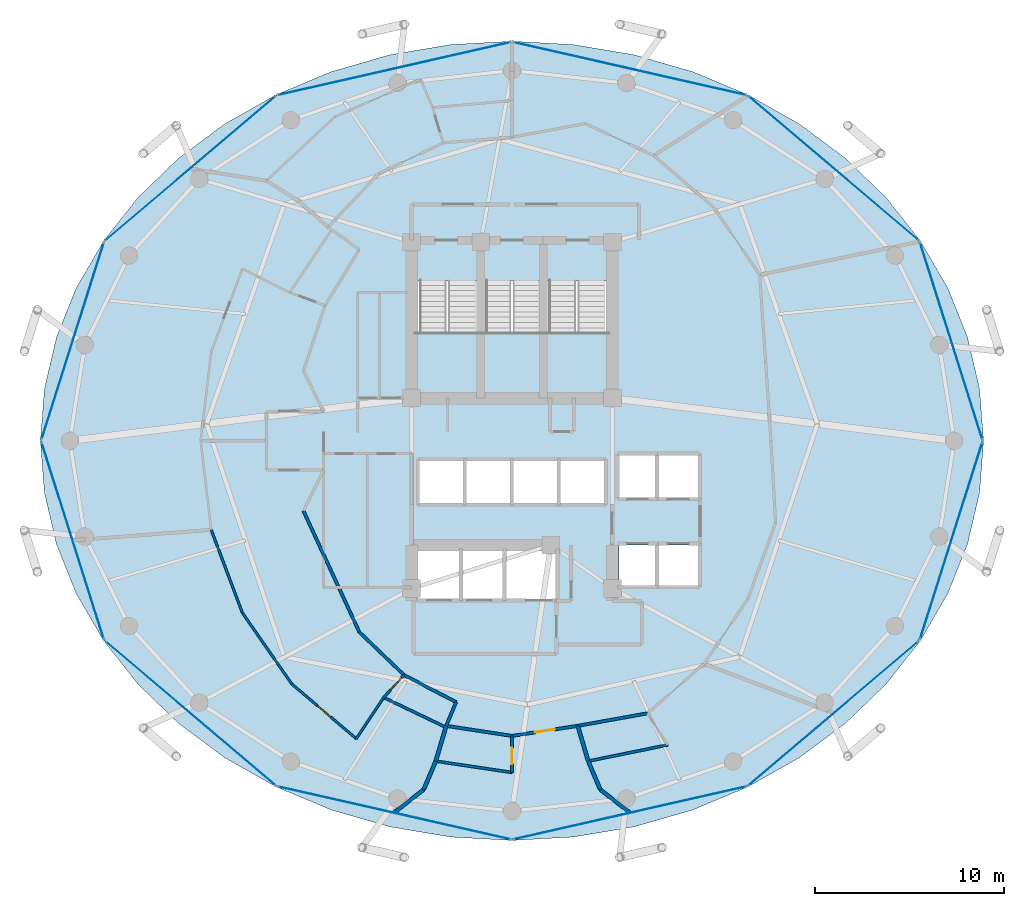
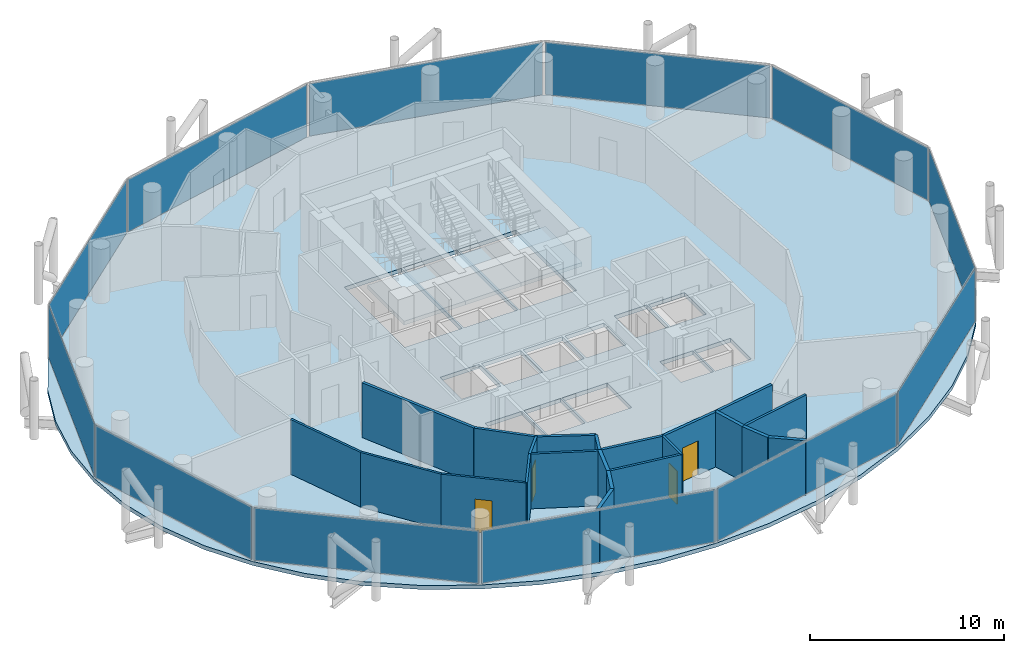
# One storey, part 21 of 26: 22 walls, 12 plates, 4 doors, 4 slabs, 4 openings, 15 elements without a shape of their own.
"""IFC4 building model written with IfcOpenShell, lengths in metres."""

from ifc_helpers import new_model, si_unit, direction, frame, frame_2d, origin, origin_2d, place, context, subcontext, project, spatial, polyline, rectangle, outline, extrude, material, layer, layer_set, type_object, element, fill, aggregate, save


model = new_model("IFC4")

# Units and contexts
model_context = context("Model", 3, precision=1e-05, world=origin(), true_north=direction((0.0, 1.0)))
body_context = subcontext(model_context, "Body", "Model", "MODEL_VIEW")
ifc_project = project(units=[si_unit("LENGTHUNIT", "METRE"), si_unit("AREAUNIT", "SQUARE_METRE"), si_unit("VOLUMEUNIT", "CUBIC_METRE"), si_unit("PLANEANGLEUNIT", "RADIAN"), si_unit("MASSUNIT", "GRAM", prefix="KILO")], contexts=[model_context])

# Site, building, storey
site_placement = place(None, origin())
site = spatial("IfcSite", under=ifc_project, at=site_placement, CompositionType="ELEMENT")
building_placement = place(site_placement, origin())
building = spatial("IfcBuilding", under=site, at=building_placement, Name="Nuhasar Tower", CompositionType="ELEMENT")
storey_placement = place(building_placement, frame((0.0, 0.0, 144.14990234375)))
storey = spatial("IfcBuildingStorey", under=building, at=storey_placement, Name="L34", CompositionType="ELEMENT", Elevation=144.14990234375)

# Curtain wall, plate
ifc_material_1 = material(Name="Aluminium 6063-T6", Category="aluminium")
ifc_layer_1 = layer(ifc_material_1, 0.199951171875)
ifc_layer_set_1 = layer_set([ifc_layer_1], Name="Aluminium 6063-T6")
curtain_wall_type = type_object("IfcCurtainWallType", Name="CW-Z2-HTL", PredefinedType="NOTDEFINED", material=ifc_layer_set_1)
curtain_wall_1_placement = place(storey_placement, origin())
curtain_wall_1 = element("IfcCurtainWall", 1, at=curtain_wall_1_placement, inside=storey, type_object=curtain_wall_type, Name="L34 Unitised Curtain Wall 01", PredefinedType="NOTDEFINED")
ifc_material_2 = material(Name="Glass Double Low-E", Category="glass")
ifc_layer_2 = layer(ifc_material_2, 0.028076171875)
ifc_layer_set_2 = layer_set([ifc_layer_2], Name="Glass Double Low-E")
plate_type = type_object("IfcPlateType", Name="CW-PANEL-GLZ", PredefinedType="CURTAIN_PANEL", material=ifc_layer_set_2)
plate_1_placement = place(storey_placement, frame((62.194580078125, 32.06494140625, 0.070068359375), z_axis=(0.0, 0.0, 1.0), x_axis=(-0.301603667577, 0.953433389233, 0.0)))
plate_1 = element("IfcPlate", 2, at=plate_1_placement, type_object=plate_type, Name="CW-Z2 panel 1.1", PredefinedType="CURTAIN_PANEL", context=body_context, shape_type="SweptSolid", body=[
    extrude(rectangle(XDim=10.904296875, YDim=0.028076171875, at=origin_2d()), origin(), (0.0, 0.0, 1.0), 3.31005859375),
])
aggregate(curtain_wall_1, [plate_1])

curtain_wall_2_placement = place(storey_placement, origin())
curtain_wall_2 = element("IfcCurtainWall", 3, at=curtain_wall_2_placement, inside=storey, type_object=curtain_wall_type, Name="L34 Unitised Curtain Wall 02", PredefinedType="NOTDEFINED")
plate_2_placement = place(storey_placement, frame((55.9794921875, 41.18408203125, 0.070068359375), z_axis=(0.0, 0.0, 1.0), x_axis=(-0.763020370292, 0.646374438324, 0.0)))
plate_2 = element("IfcPlate", 4, at=plate_2_placement, type_object=plate_type, Name="CW-Z2 panel 1.1", PredefinedType="CURTAIN_PANEL", context=body_context, shape_type="SweptSolid", body=[
    extrude(rectangle(XDim=11.784912109375, YDim=0.028076171875, at=origin_2d()), origin(), (0.0, 0.0, 1.0), 3.31005859375),
])
aggregate(curtain_wall_2, [plate_2])

curtain_wall_3_placement = place(storey_placement, origin())
curtain_wall_3 = element("IfcCurtainWall", 5, at=curtain_wall_3_placement, inside=storey, type_object=curtain_wall_type, Name="L34 Unitised Curtain Wall 03", PredefinedType="NOTDEFINED")
plate_3_placement = place(storey_placement, frame((45.215087890625, 46.448974609375, 0.070068359375), z_axis=(0.0, 0.0, 1.0), x_axis=(-0.975183694221, 0.22139729566, 0.0)))
plate_3 = element("IfcPlate", 6, at=plate_3_placement, type_object=plate_type, Name="CW-Z2 panel 1.1", PredefinedType="CURTAIN_PANEL", context=body_context, shape_type="SweptSolid", body=[
    extrude(rectangle(XDim=12.606201171875, YDim=0.028076171875, at=origin_2d()), origin(), (0.0, 0.0, 1.0), 3.31005859375),
])
aggregate(curtain_wall_3, [plate_3])

curtain_wall_4_placement = place(storey_placement, origin())
curtain_wall_4 = element("IfcCurtainWall", 7, at=curtain_wall_4_placement, inside=storey, type_object=curtain_wall_type, Name="L34 Unitised Curtain Wall 04", PredefinedType="NOTDEFINED")
plate_4_placement = place(storey_placement, frame((32.784912109375, 46.448974609375, 0.070068359375), z_axis=(0.0, 0.0, 1.0), x_axis=(-0.975183694221, -0.22139729566, 0.0)))
plate_4 = element("IfcPlate", 8, at=plate_4_placement, type_object=plate_type, Name="CW-Z2 panel 1.1", PredefinedType="CURTAIN_PANEL", context=body_context, shape_type="SweptSolid", body=[
    extrude(rectangle(XDim=12.606201171875, YDim=0.028076171875, at=origin_2d()), origin(), (0.0, 0.0, 1.0), 3.31005859375),
])
aggregate(curtain_wall_4, [plate_4])

curtain_wall_5_placement = place(storey_placement, origin())
curtain_wall_5 = element("IfcCurtainWall", 9, at=curtain_wall_5_placement, inside=storey, type_object=curtain_wall_type, Name="L34 Unitised Curtain Wall 05", PredefinedType="NOTDEFINED")
plate_5_placement = place(storey_placement, frame((22.0205078125, 41.18408203125, 0.070068359375), z_axis=(0.0, 0.0, 1.0), x_axis=(-0.763020370292, -0.646374438324, 0.0)))
plate_5 = element("IfcPlate", 10, at=plate_5_placement, type_object=plate_type, Name="CW-Z2 panel 1.1", PredefinedType="CURTAIN_PANEL", context=body_context, shape_type="SweptSolid", body=[
    extrude(rectangle(XDim=11.784912109375, YDim=0.028076171875, at=origin_2d()), origin(), (0.0, 0.0, 1.0), 3.31005859375),
])
aggregate(curtain_wall_5, [plate_5])

curtain_wall_6_placement = place(storey_placement, origin())
curtain_wall_6 = element("IfcCurtainWall", 11, at=curtain_wall_6_placement, inside=storey, type_object=curtain_wall_type, Name="L34 Unitised Curtain Wall 06", PredefinedType="NOTDEFINED")
plate_6_placement = place(storey_placement, frame((15.805419921875, 32.06494140625, 0.070068359375), z_axis=(0.0, 0.0, 1.0), x_axis=(-0.301603667577, -0.953433389233, 0.0)))
plate_6 = element("IfcPlate", 12, at=plate_6_placement, type_object=plate_type, Name="CW-Z2 panel 1.1", PredefinedType="CURTAIN_PANEL", context=body_context, shape_type="SweptSolid", body=[
    extrude(rectangle(XDim=10.904296875, YDim=0.028076171875, at=origin_2d()), origin(), (0.0, 0.0, 1.0), 3.31005859375),
])
aggregate(curtain_wall_6, [plate_6])

curtain_wall_7_placement = place(storey_placement, origin())
curtain_wall_7 = element("IfcCurtainWall", 13, at=curtain_wall_7_placement, inside=storey, type_object=curtain_wall_type, Name="L34 Unitised Curtain Wall 07", PredefinedType="NOTDEFINED")
plate_7_placement = place(storey_placement, frame((15.805419921875, 21.534912109375, 0.070068359375), z_axis=(0.0, 0.0, 1.0), x_axis=(0.301603667577, -0.953433389233, 0.0)))
plate_7 = element("IfcPlate", 14, at=plate_7_placement, type_object=plate_type, Name="CW-Z2 panel 1.1", PredefinedType="CURTAIN_PANEL", context=body_context, shape_type="SweptSolid", body=[
    extrude(rectangle(XDim=10.904296875, YDim=0.028076171875, at=origin_2d()), origin(), (0.0, 0.0, 1.0), 3.31005859375),
])
aggregate(curtain_wall_7, [plate_7])

curtain_wall_8_placement = place(storey_placement, origin())
curtain_wall_8 = element("IfcCurtainWall", 15, at=curtain_wall_8_placement, inside=storey, type_object=curtain_wall_type, Name="L34 Unitised Curtain Wall 08", PredefinedType="NOTDEFINED")
plate_8_placement = place(storey_placement, frame((22.0205078125, 12.416015625, 0.070068359375), z_axis=(0.0, 0.0, 1.0), x_axis=(0.763020370292, -0.646374438324, 0.0)))
plate_8 = element("IfcPlate", 16, at=plate_8_placement, type_object=plate_type, Name="CW-Z2 panel 1.1", PredefinedType="CURTAIN_PANEL", context=body_context, shape_type="SweptSolid", body=[
    extrude(rectangle(XDim=11.784912109375, YDim=0.028076171875, at=origin_2d()), origin(), (0.0, 0.0, 1.0), 3.31005859375),
])
aggregate(curtain_wall_8, [plate_8])

curtain_wall_9_placement = place(storey_placement, origin())
curtain_wall_9 = element("IfcCurtainWall", 17, at=curtain_wall_9_placement, inside=storey, type_object=curtain_wall_type, Name="L34 Unitised Curtain Wall 09", PredefinedType="NOTDEFINED")
plate_9_placement = place(storey_placement, frame((32.784912109375, 7.15087890625, 0.070068359375), z_axis=(0.0, 0.0, 1.0), x_axis=(0.975183694221, -0.22139729566, 0.0)))
plate_9 = element("IfcPlate", 18, at=plate_9_placement, type_object=plate_type, Name="CW-Z2 panel 1.1", PredefinedType="CURTAIN_PANEL", context=body_context, shape_type="SweptSolid", body=[
    extrude(rectangle(XDim=12.606201171875, YDim=0.028076171875, at=origin_2d()), origin(), (0.0, 0.0, 1.0), 3.31005859375),
])
aggregate(curtain_wall_9, [plate_9])

curtain_wall_10_placement = place(storey_placement, origin())
curtain_wall_10 = element("IfcCurtainWall", 19, at=curtain_wall_10_placement, inside=storey, type_object=curtain_wall_type, Name="L34 Unitised Curtain Wall 10", PredefinedType="NOTDEFINED")
plate_10_placement = place(storey_placement, frame((45.215087890625, 7.15087890625, 0.070068359375), z_axis=(0.0, 0.0, 1.0), x_axis=(0.975183694221, 0.22139729566, 0.0)))
plate_10 = element("IfcPlate", 20, at=plate_10_placement, type_object=plate_type, Name="CW-Z2 panel 1.1", PredefinedType="CURTAIN_PANEL", context=body_context, shape_type="SweptSolid", body=[
    extrude(rectangle(XDim=12.606201171875, YDim=0.028076171875, at=origin_2d()), origin(), (0.0, 0.0, 1.0), 3.31005859375),
])
aggregate(curtain_wall_10, [plate_10])

curtain_wall_11_placement = place(storey_placement, origin())
curtain_wall_11 = element("IfcCurtainWall", 21, at=curtain_wall_11_placement, inside=storey, type_object=curtain_wall_type, Name="L34 Unitised Curtain Wall 11", PredefinedType="NOTDEFINED")
plate_11_placement = place(storey_placement, frame((55.9794921875, 12.416015625, 0.070068359375), z_axis=(0.0, 0.0, 1.0), x_axis=(0.763020370292, 0.646374438324, 0.0)))
plate_11 = element("IfcPlate", 22, at=plate_11_placement, type_object=plate_type, Name="CW-Z2 panel 1.1", PredefinedType="CURTAIN_PANEL", context=body_context, shape_type="SweptSolid", body=[
    extrude(rectangle(XDim=11.784912109375, YDim=0.028076171875, at=origin_2d()), origin(), (0.0, 0.0, 1.0), 3.31005859375),
])
aggregate(curtain_wall_11, [plate_11])

curtain_wall_12_placement = place(storey_placement, origin())
curtain_wall_12 = element("IfcCurtainWall", 23, at=curtain_wall_12_placement, inside=storey, type_object=curtain_wall_type, Name="L34 Unitised Curtain Wall 12", PredefinedType="NOTDEFINED")
plate_12_placement = place(storey_placement, frame((62.194580078125, 21.534912109375, 0.070068359375), z_axis=(0.0, 0.0, 1.0), x_axis=(0.301603667577, 0.953433389233, 0.0)))
plate_12 = element("IfcPlate", 24, at=plate_12_placement, type_object=plate_type, Name="CW-Z2 panel 1.1", PredefinedType="CURTAIN_PANEL", context=body_context, shape_type="SweptSolid", body=[
    extrude(rectangle(XDim=10.904296875, YDim=0.028076171875, at=origin_2d()), origin(), (0.0, 0.0, 1.0), 3.31005859375),
])
aggregate(curtain_wall_12, [plate_12])

# Stair, slab
ifc_material_3 = material(Name="Concrete C45/55", Category="concrete")
stair_type_1 = type_object("IfcStairType", Name="STR-ST-01-2F-22R-1682", PredefinedType="HALF_TURN_STAIR", material=ifc_material_3)
stair_1_placement = place(storey_placement, origin())
stair_1 = element("IfcStair", 25, at=stair_1_placement, inside=storey, type_object=stair_type_1, Name="L34 Exit Stair ST-01", PredefinedType="HALF_TURN_STAIR")
ifc_layer_3 = layer(ifc_material_3, 0.239990234375)
ifc_layer_set_3 = layer_set([ifc_layer_3], Name="Concrete C45/55")
slab_type_1 = type_object("IfcSlabType", Name="SLB-STAIR-LND-240", PredefinedType="LANDING", material=ifc_layer_set_3)
slab_1_placement = place(storey_placement, frame((0.0, 0.0, 1.610107421875)))
slab_1 = element("IfcSlab", 26, at=slab_1_placement, type_object=slab_type_1, Name="ST-01 landing 1", PredefinedType="LANDING", context=body_context, shape_type="SweptSolid", body=[
    extrude(outline(polyline([(33.699951171875, 28.75), (37.35009765625, 28.75), (37.35009765625, 32.52001953125), (33.699951171875, 32.52001953125), (33.699951171875, 28.75)])), origin(), (0.0, 0.0, 1.0), 0.239990234375),
])
aggregate(stair_1, [slab_1])

stair_type_2 = type_object("IfcStairType", Name="STR-ST-03-2F-22R-1682", PredefinedType="HALF_TURN_STAIR", material=ifc_material_3)
stair_2_placement = place(storey_placement, origin())
stair_2 = element("IfcStair", 27, at=stair_2_placement, inside=storey, type_object=stair_type_2, Name="L34 Exit Stair ST-03", PredefinedType="HALF_TURN_STAIR")
slab_2_placement = place(storey_placement, frame((0.0, 0.0, 1.610107421875)))
slab_2 = element("IfcSlab", 28, at=slab_2_placement, type_object=slab_type_1, Name="ST-03 landing 1", PredefinedType="LANDING", context=body_context, shape_type="SweptSolid", body=[
    extrude(outline(polyline([(37.35009765625, 28.75), (40.64990234375, 28.75), (40.64990234375, 32.52001953125), (37.35009765625, 32.52001953125), (37.35009765625, 28.75)])), origin(), (0.0, 0.0, 1.0), 0.239990234375),
])
aggregate(stair_2, [slab_2])

stair_type_3 = type_object("IfcStairType", Name="STR-ST-02-2F-22R-1682", PredefinedType="HALF_TURN_STAIR", material=ifc_material_3)
stair_3_placement = place(storey_placement, origin())
stair_3 = element("IfcStair", 29, at=stair_3_placement, inside=storey, type_object=stair_type_3, Name="L34 Exit Stair ST-02", PredefinedType="HALF_TURN_STAIR")
slab_3_placement = place(storey_placement, frame((0.0, 0.0, 1.610107421875)))
slab_3 = element("IfcSlab", 30, at=slab_3_placement, type_object=slab_type_1, Name="ST-02 landing 1", PredefinedType="LANDING", context=body_context, shape_type="SweptSolid", body=[
    extrude(outline(polyline([(40.64990234375, 28.75), (44.300048828125, 28.75), (44.300048828125, 32.52001953125), (40.64990234375, 32.52001953125), (40.64990234375, 28.75)])), origin(), (0.0, 0.0, 1.0), 0.239990234375),
])
aggregate(stair_3, [slab_3])

# Slab
ifc_layer_4 = layer(ifc_material_3, 0.25)
ifc_layer_set_4 = layer_set([ifc_layer_4], Name="Concrete C45/55")
slab_type_2 = type_object("IfcSlabType", Name="SLB-Z1B-250", PredefinedType="FLOOR", material=ifc_layer_set_4)
slab_4_placement = place(storey_placement, frame((0.0, 0.0, -0.25)))
element("IfcSlab", 31, at=slab_4_placement, inside=storey, type_object=slab_type_2, Name="L34 Structural Slab", PredefinedType="FLOOR", context=body_context, shape_type="SweptSolid", body=[
    extrude(outline(polyline([(63.89990234375, 26.800048828125), (63.68701171875, 29.553955078125), (63.052001953125, 32.260986328125), (62.0048828125, 34.875), (60.56396484375, 37.35009765625), (58.75390625, 39.64501953125), (56.60693359375, 41.719970703125), (54.157958984375, 43.5400390625), (51.449951171875, 45.072998046875), (48.529052734375, 46.2939453125), (45.445068359375, 47.180908203125), (42.25, 47.718994140625), (39.0, 47.89990234375), (35.75, 47.718994140625), (32.554931640625, 47.180908203125), (29.470947265625, 46.2939453125), (26.550048828125, 45.072998046875), (23.842041015625, 43.5400390625), (21.39306640625, 41.719970703125), (19.24609375, 39.64501953125), (17.43603515625, 37.35009765625), (15.9951171875, 34.875), (14.947998046875, 32.260986328125), (14.31298828125, 29.553955078125), (14.10009765625, 26.800048828125), (14.31298828125, 24.0458984375), (14.947998046875, 21.339111328125), (15.9951171875, 18.72509765625), (17.43603515625, 16.25), (19.24609375, 13.955078125), (21.39306640625, 11.8798828125), (23.842041015625, 10.06005859375), (26.550048828125, 8.527099609375), (29.470947265625, 7.305908203125), (32.554931640625, 6.4189453125), (35.75, 5.881103515625), (39.0, 5.699951171875), (42.25, 5.881103515625), (45.445068359375, 6.4189453125), (48.529052734375, 7.305908203125), (51.449951171875, 8.527099609375), (54.157958984375, 10.06005859375), (56.60693359375, 11.8798828125), (58.75390625, 13.955078125), (60.56396484375, 16.25), (62.0048828125, 18.72509765625), (63.052001953125, 21.339111328125), (63.68701171875, 24.0458984375), (63.89990234375, 26.800048828125)]), holes=[polyline([(33.8798828125, 35.25), (37.300048828125, 35.25), (37.300048828125, 29.0), (33.8798828125, 29.0), (33.8798828125, 35.25)]), polyline([(37.39990234375, 35.25), (40.60009765625, 35.25), (40.60009765625, 29.0), (37.39990234375, 29.0), (37.39990234375, 35.25)]), polyline([(40.699951171875, 35.25), (44.1201171875, 35.25), (44.1201171875, 29.0), (40.699951171875, 29.0), (40.699951171875, 35.25)]), polyline([(44.64990234375, 26.050048828125), (46.60009765625, 26.050048828125), (46.60009765625, 23.800048828125), (44.64990234375, 23.800048828125), (44.64990234375, 26.050048828125)]), polyline([(46.699951171875, 26.050048828125), (48.85009765625, 26.050048828125), (48.85009765625, 23.800048828125), (46.699951171875, 23.800048828125), (46.699951171875, 26.050048828125)]), polyline([(44.64990234375, 21.300048828125), (46.60009765625, 21.300048828125), (46.60009765625, 19.14990234375), (44.64990234375, 19.14990234375), (44.64990234375, 21.300048828125)]), polyline([(46.699951171875, 21.300048828125), (48.85009765625, 21.300048828125), (48.85009765625, 19.14990234375), (46.699951171875, 19.14990234375), (46.699951171875, 21.300048828125)]), polyline([(34.10009765625, 25.75), (36.43994140625, 25.75), (36.43994140625, 23.5), (34.10009765625, 23.5), (34.10009765625, 25.75)]), polyline([(36.580078125, 25.75), (38.919921875, 25.75), (38.919921875, 23.5), (36.580078125, 23.5), (36.580078125, 25.75)]), polyline([(39.06005859375, 25.75), (41.39990234375, 25.75), (41.39990234375, 23.5), (39.06005859375, 23.5), (39.06005859375, 25.75)]), polyline([(41.5400390625, 25.75), (43.8798828125, 25.75), (43.8798828125, 23.5), (41.5400390625, 23.5), (41.5400390625, 25.75)]), polyline([(34.050048828125, 21.0), (36.25, 21.0), (36.25, 18.449951171875), (34.050048828125, 18.449951171875), (34.050048828125, 21.0)]), polyline([(36.35009765625, 21.0), (38.550048828125, 21.0), (38.550048828125, 18.449951171875), (36.35009765625, 18.449951171875), (36.35009765625, 21.0)]), polyline([(38.64990234375, 21.0), (41.320068359375, 21.0), (41.320068359375, 18.449951171875), (38.64990234375, 18.449951171875), (38.64990234375, 21.0)])]), origin(), (0.0, 0.0, 1.0), 0.25),
])

# Wall
ifc_material_4 = material(Name="Gypsum Board", Category="gypsum")
ifc_layer_5 = layer(ifc_material_4, 0.159912109375)
ifc_layer_set_5 = layer_set([ifc_layer_5], Name="Gypsum Board")
wall_type_1 = type_object("IfcWallType", Name="WL-CORR-160", PredefinedType="PARTITIONING", material=ifc_layer_set_5)
wall_1_placement = place(storey_placement, frame((35.527099609375, 11.7509765625, 0.0), z_axis=(0.0, 0.0, 1.0), x_axis=(0.988511864265, -0.151143290318, 0.0)))
element("IfcWall", 32, at=wall_1_placement, inside=storey, type_object=wall_type_1, Name="L34 Interior Partition CORR-34", PredefinedType="PARTITIONING", context=body_context, shape_type="SweptSolid", body=[
    extrude(rectangle(XDim=3.51318359375, YDim=0.159912109375, at=frame_2d((1.756591796875, 0.0))), origin(), (0.0, 0.0, 1.0), 3.4501953125),
])

# Wall, opening, door
wall_2_placement = place(storey_placement, frame((42.472900390625, 11.7509765625, 0.0), z_axis=(0.0, 0.0, 1.0), x_axis=(-0.988511864265, -0.151143290318, 0.0)))
wall_2 = element("IfcWall", 33, at=wall_2_placement, inside=storey, type_object=wall_type_1, Name="L34 Interior Partition CORR-36", PredefinedType="PARTITIONING", context=body_context, shape_type="SweptSolid", body=[
    extrude(rectangle(XDim=3.51318359375, YDim=0.159912109375, at=frame_2d((1.756591796875, 0.0))), origin(), (0.0, 0.0, 1.0), 3.4501953125),
])
opening_1_placement = place(wall_2_placement, frame((1.23193359375, 0.0, 0.0)))
opening_1 = element("IfcOpeningElement", 34, at=opening_1_placement, cuts=wall_2, Name="Opening DU-01", PredefinedType="OPENING", context=body_context, shape_type="SweptSolid", body=[
    extrude(rectangle(XDim=1.050048828125, YDim=2.14990234375, at=frame_2d((0.52490234375, 1.074951171875))), frame((0.0, 0.08984375, 0.0), z_axis=(0.0, -1.0, 0.0), x_axis=(1.0, 0.0, 0.0)), (0.0, 0.0, 1.0), 0.179931640625),
])
ifc_material_5 = material(Name="Timber Oak", Category="wood")
door_type_1 = type_object("IfcDoorType", Name="DR-SUITE-FD60-1050", OperationType="NOTDEFINED", PredefinedType="DOOR", material=ifc_material_5)
door_1_placement = place(opening_1_placement, origin())
door_1 = element("IfcDoor", 35, at=door_1_placement, inside=storey, type_object=door_type_1, Name="L34 Club Junior Suite 01 Entrance Door", OperationType="SINGLE_SWING_RIGHT", OverallHeight=2.14990234375, OverallWidth=1.050048828125, PredefinedType="DOOR", context=body_context, shape_type="SweptSolid", body=[
    extrude(rectangle(XDim=1.050048828125, YDim=2.14990234375, at=frame_2d((0.52490234375, 1.074951171875))), frame((0.0, 0.02490234375, 0.0), z_axis=(0.0, -1.0, 0.0), x_axis=(1.0, 0.0, 0.0)), (0.0, 0.0, 1.0), 0.050048828125),
])
fill(opening_1, door_1)

# Walls
wall_3_placement = place(storey_placement, frame((42.472900390625, 11.7509765625, 0.0), z_axis=(0.0, 0.0, 1.0), x_axis=(0.984260148177, 0.176725665115, 0.0)))
element("IfcWall", 36, at=wall_3_placement, inside=storey, type_object=wall_type_1, Name="L34 Interior Partition CORR-38", PredefinedType="PARTITIONING", context=body_context, shape_type="SweptSolid", body=[
    extrude(rectangle(XDim=3.740966796875, YDim=0.159912109375, at=frame_2d((1.87060546875, 0.0))), origin(), (0.0, 0.0, 1.0), 3.4501953125),
])
wall_4_placement = place(storey_placement, frame((36.049072265625, 13.007080078125, 0.0), z_axis=(0.0, 0.0, 1.0), x_axis=(-0.38373584686, -0.923442905563, 0.0)))
element("IfcWall", 37, at=wall_4_placement, inside=storey, type_object=wall_type_1, Name="L34 Interior Partition HRAD-34-IN", PredefinedType="PARTITIONING", context=body_context, shape_type="SweptSolid", body=[
    extrude(rectangle(XDim=1.3603515625, YDim=0.159912109375, at=frame_2d((0.68017578125, 0.0))), origin(), (0.0, 0.0, 1.0), 3.4501953125),
])
wall_5_placement = place(storey_placement, frame((27.988037109375, 23.10400390625, 0.0), z_axis=(0.0, 0.0, 1.0), x_axis=(0.418656179426, -0.908144814128, 0.0)))
element("IfcWall", 38, at=wall_5_placement, inside=storey, type_object=wall_type_1, Name="L34 Interior Partition HWEST-CORE-S1-26", PredefinedType="PARTITIONING", context=body_context, shape_type="SweptSolid", body=[
    extrude(rectangle(XDim=7.048583984375, YDim=0.159912109375, at=frame_2d((3.5244140625, 0.0))), origin(), (0.0, 0.0, 1.0), 3.4501953125),
])
wall_6_placement = place(storey_placement, frame((30.93896484375, 16.702880859375, 0.0), z_axis=(0.0, 0.0, 1.0), x_axis=(0.72090897908, -0.693029756851, 0.0)))
element("IfcWall", 39, at=wall_6_placement, inside=storey, type_object=wall_type_1, Name="L34 Interior Partition HWEST-CORE-S2-30", PredefinedType="PARTITIONING", context=body_context, shape_type="SweptSolid", body=[
    extrude(rectangle(XDim=3.275146484375, YDim=0.159912109375, at=frame_2d((1.6376953125, 0.0))), origin(), (0.0, 0.0, 1.0), 3.4501953125),
])
wall_7_placement = place(storey_placement, frame((33.300048828125, 14.43310546875, 0.0), z_axis=(0.0, 0.0, 1.0), x_axis=(0.887674575788, -0.460471331898, 0.0)))
element("IfcWall", 40, at=wall_7_placement, inside=storey, type_object=wall_type_1, Name="L34 Interior Partition HWEST-CORE-S2-32", PredefinedType="PARTITIONING", context=body_context, shape_type="SweptSolid", body=[
    extrude(rectangle(XDim=3.096923828125, YDim=0.159912109375, at=frame_2d((1.54833984375, 0.0))), origin(), (0.0, 0.0, 1.0), 3.4501953125),
])
ifc_layer_6 = layer(ifc_material_4, 0.125)
ifc_layer_set_6 = layer_set([ifc_layer_6], Name="Gypsum Board")
wall_type_2 = type_object("IfcWallType", Name="WL-PART-125", PredefinedType="PARTITIONING", material=ifc_layer_set_6)
wall_8_placement = place(storey_placement, frame((32.22509765625, 13.2470703125, 0.0), z_axis=(0.0, 0.0, 1.0), x_axis=(-0.553555827905, -0.832812070873, 0.0)))
element("IfcWall", 41, at=wall_8_placement, inside=storey, type_object=wall_type_2, Name="L34 Interior Partition HWS2-N", PredefinedType="PARTITIONING", context=body_context, shape_type="SweptSolid", body=[
    extrude(rectangle(XDim=2.610595703125, YDim=0.125, at=frame_2d((1.30517578125, 0.0))), origin(), (0.0, 0.0, 1.0), 3.4501953125),
])
wall_9_placement = place(storey_placement, frame((23.1201171875, 22.10009765625, 0.0), z_axis=(0.0, 0.0, 1.0), x_axis=(0.351174914427, -0.936309873641, 0.0)))
element("IfcWall", 42, at=wall_9_placement, inside=storey, type_object=wall_type_2, Name="L34 Interior Partition HWS2-ARC-26", PredefinedType="PARTITIONING", context=body_context, shape_type="SweptSolid", body=[
    extrude(rectangle(XDim=4.677978515625, YDim=0.125, at=frame_2d((2.3388671875, 0.0))), origin(), (0.0, 0.0, 1.0), 3.4501953125),
])
wall_10_placement = place(storey_placement, frame((24.762939453125, 17.719970703125, 0.0), z_axis=(0.0, 0.0, 1.0), x_axis=(0.570434776354, -0.821342903985, 0.0)))
element("IfcWall", 43, at=wall_10_placement, inside=storey, type_object=wall_type_2, Name="L34 Interior Partition HWS2-ARC-28", PredefinedType="PARTITIONING", context=body_context, shape_type="SweptSolid", body=[
    extrude(rectangle(XDim=4.5791015625, YDim=0.125, at=frame_2d((2.28955078125, 0.0))), origin(), (0.0, 0.0, 1.0), 3.4501953125),
])

# Wall, opening, door
wall_11_placement = place(storey_placement, frame((27.375, 13.958984375, 0.0), z_axis=(0.0, 0.0, 1.0), x_axis=(0.762854903473, -0.646569714917, 0.0)))
wall_11 = element("IfcWall", 44, at=wall_11_placement, inside=storey, type_object=wall_type_2, Name="L34 Interior Partition HWS2-ARC-30", PredefinedType="PARTITIONING", context=body_context, shape_type="SweptSolid", body=[
    extrude(rectangle(XDim=4.463623046875, YDim=0.125, at=frame_2d((2.23193359375, 0.0))), origin(), (0.0, 0.0, 1.0), 3.4501953125),
])
opening_2_placement = place(wall_11_placement, frame((1.781982421875, 0.0, 0.0)))
opening_2 = element("IfcOpeningElement", 45, at=opening_2_placement, cuts=wall_11, Name="Opening DR-01", PredefinedType="OPENING", context=body_context, shape_type="SweptSolid", body=[
    extrude(rectangle(XDim=0.89990234375, YDim=2.10009765625, at=frame_2d((0.449951171875, 1.050048828125))), frame((0.0, 0.072509765625, 0.0), z_axis=(0.0, -1.0, 0.0), x_axis=(1.0, 0.0, 0.0)), (0.0, 0.0, 1.0), 0.14501953125),
])
door_type_2 = type_object("IfcDoorType", Name="DR-ROOM-900", OperationType="NOTDEFINED", PredefinedType="DOOR", material=ifc_material_5)
door_2_placement = place(opening_2_placement, origin())
door_2 = element("IfcDoor", 46, at=door_2_placement, inside=storey, type_object=door_type_2, Name="L34 South-West Presidential Suite Bedroom Door", OperationType="SINGLE_SWING_RIGHT", OverallHeight=2.10009765625, OverallWidth=0.89990234375, PredefinedType="DOOR", context=body_context, shape_type="SweptSolid", body=[
    extrude(rectangle(XDim=0.89990234375, YDim=2.10009765625, at=frame_2d((0.449951171875, 1.050048828125))), frame((0.0, 0.02490234375, 0.0), z_axis=(0.0, -1.0, 0.0), x_axis=(1.0, 0.0, 0.0)), (0.0, 0.0, 1.0), 0.050048828125),
])
fill(opening_2, door_2)

# Walls
ifc_material_6 = material(Name="Concrete C40/50 precast", Category="concrete")
ifc_layer_7 = layer(ifc_material_6, 0.199951171875)
ifc_layer_set_7 = layer_set([ifc_layer_7], Name="Concrete C40/50 precast")
wall_type_3 = type_object("IfcWallType", Name="WL-UNIT-200", PredefinedType="PARTITIONING", material=ifc_layer_set_7)
wall_12_placement = place(storey_placement, frame((35.527099609375, 11.7509765625, 0.0), z_axis=(0.0, 0.0, 1.0), x_axis=(-0.283947221883, -0.958839911135, 0.0)))
element("IfcWall", 47, at=wall_12_placement, inside=storey, type_object=wall_type_3, Name="L34 Interior Partition HRAD-34-OUT-S1", PredefinedType="PARTITIONING", context=body_context, shape_type="SweptSolid", body=[
    extrude(rectangle(XDim=1.944091796875, YDim=0.199951171875, at=frame_2d((0.97216796875, 0.0))), origin(), (0.0, 0.0, 1.0), 3.4501953125),
])
wall_13_placement = place(storey_placement, frame((34.97509765625, 9.886962890625, 0.0), z_axis=(0.0, 0.0, 1.0), x_axis=(-0.389767285182, -0.920913385396, 0.0)))
element("IfcWall", 48, at=wall_13_placement, inside=storey, type_object=wall_type_3, Name="L34 Interior Partition HRAD-34-OUT-S2", PredefinedType="PARTITIONING", context=body_context, shape_type="SweptSolid", body=[
    extrude(rectangle(XDim=1.626708984375, YDim=0.199951171875, at=frame_2d((0.8134765625, 0.0))), origin(), (0.0, 0.0, 1.0), 3.4501953125),
])
wall_14_placement = place(storey_placement, frame((34.341064453125, 8.388916015625, 0.0), z_axis=(0.0, 0.0, 1.0), x_axis=(-0.788976644824, -0.614423187976, 0.0)))
element("IfcWall", 49, at=wall_14_placement, inside=storey, type_object=wall_type_3, Name="L34 Interior Partition HRAD-34-OUT-S3", PredefinedType="PARTITIONING", context=body_context, shape_type="SweptSolid", body=[
    extrude(rectangle(XDim=1.9609375, YDim=0.199951171875, at=frame_2d((0.98046875, 0.0))), origin(), (0.0, 0.0, 1.0), 3.4501953125),
])
wall_15_placement = place(storey_placement, frame((42.472900390625, 11.7509765625, 0.0), z_axis=(0.0, 0.0, 1.0), x_axis=(0.283947221883, -0.958839911135, 0.0)))
element("IfcWall", 50, at=wall_15_placement, inside=storey, type_object=wall_type_3, Name="L34 Interior Partition HRAD-38-S1", PredefinedType="PARTITIONING", context=body_context, shape_type="SweptSolid", body=[
    extrude(rectangle(XDim=1.944091796875, YDim=0.199951171875, at=frame_2d((0.97216796875, 0.0))), origin(), (0.0, 0.0, 1.0), 3.4501953125),
])
wall_16_placement = place(storey_placement, frame((43.02490234375, 9.886962890625, 0.0), z_axis=(0.0, 0.0, 1.0), x_axis=(0.389767285182, -0.920913385396, 0.0)))
element("IfcWall", 51, at=wall_16_placement, inside=storey, type_object=wall_type_3, Name="L34 Interior Partition HRAD-38-S2", PredefinedType="PARTITIONING", context=body_context, shape_type="SweptSolid", body=[
    extrude(rectangle(XDim=1.626708984375, YDim=0.199951171875, at=frame_2d((0.8134765625, 0.0))), origin(), (0.0, 0.0, 1.0), 3.4501953125),
])
wall_17_placement = place(storey_placement, frame((43.658935546875, 8.388916015625, 0.0), z_axis=(0.0, 0.0, 1.0), x_axis=(0.788976644824, -0.614423187976, 0.0)))
element("IfcWall", 52, at=wall_17_placement, inside=storey, type_object=wall_type_3, Name="L34 Interior Partition HRAD-38-S3", PredefinedType="PARTITIONING", context=body_context, shape_type="SweptSolid", body=[
    extrude(rectangle(XDim=1.9609375, YDim=0.199951171875, at=frame_2d((0.98046875, 0.0))), origin(), (0.0, 0.0, 1.0), 3.4501953125),
])

# Wall, opening, door
ifc_layer_8 = layer(ifc_material_6, 0.139892578125)
ifc_layer_set_8 = layer_set([ifc_layer_8], Name="Concrete C40/50 precast")
wall_type_4 = type_object("IfcWallType", Name="WL-WET-140", PredefinedType="PARTITIONING", material=ifc_layer_set_8)
wall_18_placement = place(storey_placement, frame((39.0, 11.219970703125, 0.0), z_axis=(0.0, 0.0, 1.0), x_axis=(0.0, -1.0, 0.0)))
wall_18 = element("IfcWall", 53, at=wall_18_placement, inside=storey, type_object=wall_type_4, Name="L34 Interior Partition HBW-01", PredefinedType="PARTITIONING", context=body_context, shape_type="SweptSolid", body=[
    extrude(rectangle(XDim=1.929931640625, YDim=0.139892578125, at=frame_2d((0.96484375, 0.0))), origin(), (0.0, 0.0, 1.0), 3.4501953125),
])
opening_3_placement = place(wall_18_placement, frame((0.636962890625, 0.0, 0.0)))
opening_3 = element("IfcOpeningElement", 54, at=opening_3_placement, cuts=wall_18, Name="Opening DB-01", PredefinedType="OPENING", context=body_context, shape_type="SweptSolid", body=[
    extrude(rectangle(XDim=0.85009765625, YDim=2.10009765625, at=frame_2d((0.425048828125, 1.050048828125))), frame((0.0, 0.080078125, 0.0), z_axis=(0.0, -1.0, 0.0), x_axis=(1.0, 0.0, 0.0)), (0.0, 0.0, 1.0), 0.159912109375),
])
door_type_3 = type_object("IfcDoorType", Name="DR-BATH-850", OperationType="NOTDEFINED", PredefinedType="DOOR", material=ifc_material_5)
door_3_placement = place(opening_3_placement, origin())
door_3 = element("IfcDoor", 55, at=door_3_placement, inside=storey, type_object=door_type_3, Name="L34 Club Junior Suite 01 En-Suite Door", OperationType="SINGLE_SWING_RIGHT", OverallHeight=2.10009765625, OverallWidth=0.85009765625, PredefinedType="DOOR", context=body_context, shape_type="SweptSolid", body=[
    extrude(rectangle(XDim=0.85009765625, YDim=2.10009765625, at=frame_2d((0.425048828125, 1.050048828125))), frame((0.0, 0.02490234375, 0.0), z_axis=(0.0, -1.0, 0.0), x_axis=(1.0, 0.0, 0.0)), (0.0, 0.0, 1.0), 0.050048828125),
])
fill(opening_3, door_3)

# Walls
wall_19_placement = place(storey_placement, frame((34.97509765625, 9.886962890625, 0.0), z_axis=(0.0, 0.0, 1.0), x_axis=(0.989180577346, -0.146703051778, 0.0)))
element("IfcWall", 56, at=wall_19_placement, inside=storey, type_object=wall_type_4, Name="L34 Interior Partition HBF-01-34", PredefinedType="PARTITIONING", context=body_context, shape_type="SweptSolid", body=[
    extrude(rectangle(XDim=4.06884765625, YDim=0.139892578125, at=frame_2d((2.034423828125, 0.0))), origin(), (0.0, 0.0, 1.0), 3.4501953125),
])
wall_20_placement = place(storey_placement, frame((43.02490234375, 9.886962890625, 0.0), z_axis=(0.0, 0.0, 1.0), x_axis=(0.979769708122, 0.200128256494, 0.0)))
element("IfcWall", 57, at=wall_20_placement, inside=storey, type_object=wall_type_4, Name="L34 Interior Partition HBF-02-38", PredefinedType="PARTITIONING", context=body_context, shape_type="SweptSolid", body=[
    extrude(rectangle(XDim=4.29296875, YDim=0.139892578125, at=frame_2d((2.146484375, 0.0))), origin(), (0.0, 0.0, 1.0), 3.4501953125),
])

# Wall, opening, door
wall_21_placement = place(storey_placement, frame((33.300048828125, 14.43310546875, 0.0), z_axis=(0.0, 0.0, 1.0), x_axis=(-0.671556062003, -0.740953747266, 0.0)))
wall_21 = element("IfcWall", 58, at=wall_21_placement, inside=storey, type_object=wall_type_4, Name="L34 Interior Partition HBW2-N", PredefinedType="PARTITIONING", context=body_context, shape_type="SweptSolid", body=[
    extrude(rectangle(XDim=1.6005859375, YDim=0.139892578125, at=frame_2d((0.80029296875, 0.0))), origin(), (0.0, 0.0, 1.0), 3.4501953125),
])
opening_4_placement = place(wall_21_placement, frame((0.199951171875, 0.0, 0.0)))
opening_4 = element("IfcOpeningElement", 59, at=opening_4_placement, cuts=wall_21, Name="Opening DB-01", PredefinedType="OPENING", context=body_context, shape_type="SweptSolid", body=[
    extrude(rectangle(XDim=0.85009765625, YDim=2.10009765625, at=frame_2d((0.425048828125, 1.050048828125))), frame((0.0, 0.080078125, 0.0), z_axis=(0.0, -1.0, 0.0), x_axis=(1.0, 0.0, 0.0)), (0.0, 0.0, 1.0), 0.159912109375),
])
door_4_placement = place(opening_4_placement, origin())
door_4 = element("IfcDoor", 60, at=door_4_placement, inside=storey, type_object=door_type_3, Name="L34 South-West Presidential Suite En-Suite Door", OperationType="SINGLE_SWING_LEFT", OverallHeight=2.10009765625, OverallWidth=0.85009765625, PredefinedType="DOOR", context=body_context, shape_type="SweptSolid", body=[
    extrude(rectangle(XDim=0.85009765625, YDim=2.10009765625, at=frame_2d((0.425048828125, 1.050048828125))), frame((0.0, 0.02490234375, 0.0), z_axis=(0.0, -1.0, 0.0), x_axis=(1.0, 0.0, 0.0)), (0.0, 0.0, 1.0), 0.050048828125),
])
fill(opening_4, door_4)

# Wall
wall_22_placement = place(storey_placement, frame((32.22509765625, 13.2470703125, 0.0), z_axis=(0.0, 0.0, 1.0), x_axis=(0.902016722043, -0.431701092372, 0.0)))
element("IfcWall", 61, at=wall_22_placement, inside=storey, type_object=wall_type_4, Name="L34 Interior Partition HBW2-E", PredefinedType="PARTITIONING", context=body_context, shape_type="SweptSolid", body=[
    extrude(rectangle(XDim=3.622802734375, YDim=0.139892578125, at=frame_2d((1.8115234375, 0.0))), origin(), (0.0, 0.0, 1.0), 3.4501953125),
])

save(model, "model.ifc")
